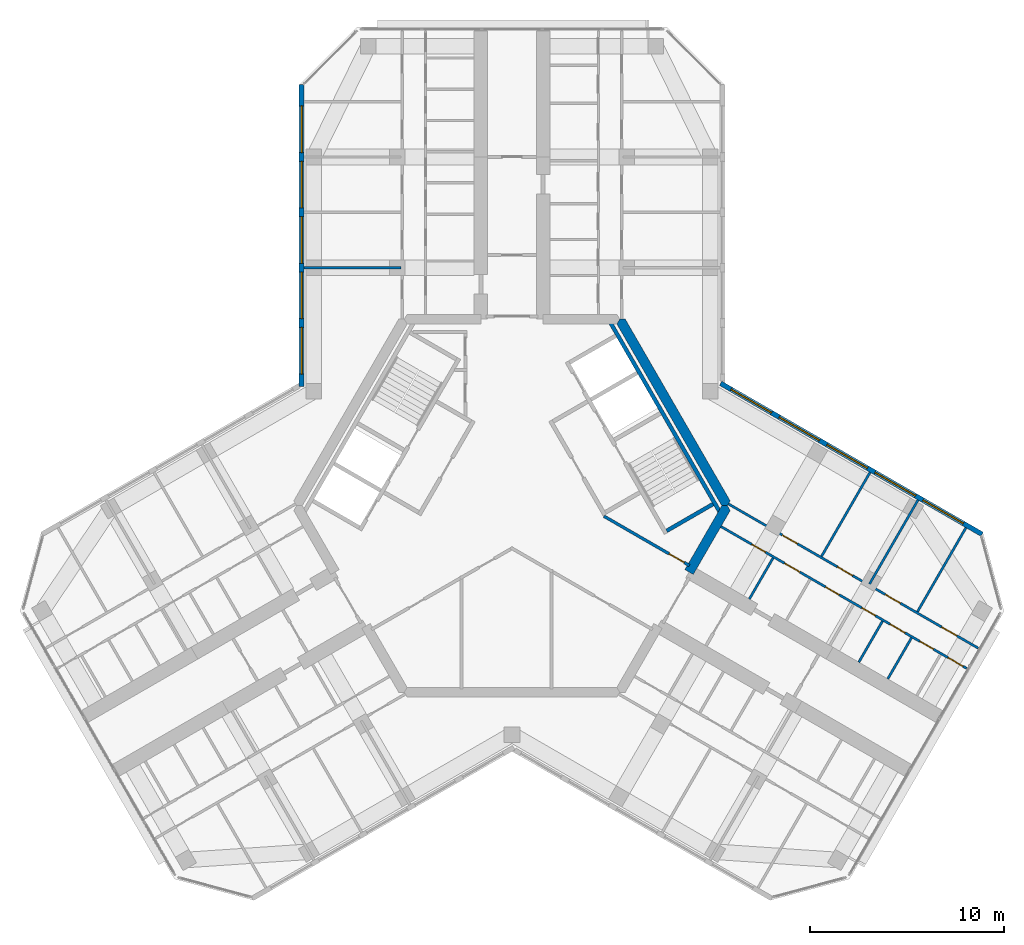
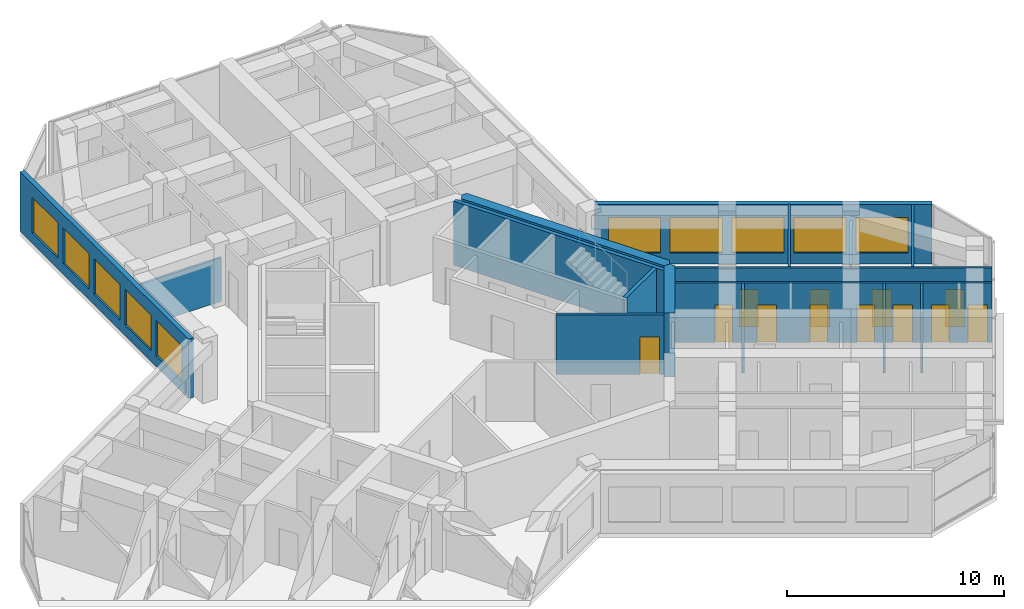
# One storey, part 11 of 14: 16 walls, 12 doors, 10 windows, 22 openings.
"""IFC4 building model written with IfcOpenShell, lengths in metres."""

from ifc_helpers import new_model, si_unit, direction, frame, frame_2d, origin, place, context, subcontext, project, spatial, polyline, rectangle, outline, extrude, material, layer, layer_set, type_object, element, fill, save


model = new_model("IFC4")

# Units and contexts
model_context = context("Model", 3, precision=1e-05, world=origin(), true_north=direction((0.0, 1.0)))
body_context = subcontext(model_context, "Body", "Model", "MODEL_VIEW")
ifc_project = project(units=[si_unit("LENGTHUNIT", "METRE"), si_unit("AREAUNIT", "SQUARE_METRE"), si_unit("VOLUMEUNIT", "CUBIC_METRE"), si_unit("PLANEANGLEUNIT", "RADIAN"), si_unit("MASSUNIT", "GRAM", prefix="KILO")], contexts=[model_context])

# Site, building, storey
site_placement = place(None, origin())
site = spatial("IfcSite", under=ifc_project, at=site_placement, CompositionType="ELEMENT")
building_placement = place(site_placement, origin())
building = spatial("IfcBuilding", under=site, at=building_placement, Name="Kosmar Iwan School Tower", CompositionType="ELEMENT")
storey_placement = place(building_placement, frame((0.0, 0.0, 289.0)))
storey = spatial("IfcBuildingStorey", under=building, at=storey_placement, Name="L73", CompositionType="ELEMENT", Elevation=289.0)

# Wall, opening, door
ifc_material_1 = material(Name="Gypsum board on steel studs, fire-rated", Category="steel")
ifc_layer_1 = layer(ifc_material_1, 0.14990234375)
ifc_layer_set_1 = layer_set([ifc_layer_1], Name="Core room partition 150")
wall_type_1 = type_object("IfcWallType", Name="Core room partition 150", PredefinedType="PARTITIONING", material=ifc_layer_set_1)
wall_1_placement = place(storey_placement, frame((9.129638671875, -3.0771484375, 0.0), z_axis=(0.0, 0.0, 1.0), x_axis=(-0.866010921276, 0.500025083601, 0.0)))
wall_1 = element("IfcWall", 1, at=wall_1_placement, inside=storey, type_object=wall_type_1, Name="Core room partition L73-CW11", PredefinedType="PARTITIONING", context=body_context, shape_type="SweptSolid", body=[
    extrude(rectangle(XDim=5.074462890625, YDim=0.14990234375, at=frame_2d((2.537109375, 0.0))), origin(), (0.0, 0.0, 1.0), 3.35009765625),
])
opening_1_placement = place(wall_1_placement, frame((0.304931640625, 0.0, 0.0)))
opening_1 = element("IfcOpeningElement", 2, at=opening_1_placement, cuts=wall_1, Name="Opening D14", PredefinedType="OPENING", context=body_context, shape_type="SweptSolid", body=[
    extrude(rectangle(XDim=0.89990234375, YDim=2.10009765625, at=frame_2d((0.449951171875, 1.050048828125))), frame((0.0, 0.0869140625, 0.0), z_axis=(0.0, -1.0, 0.0), x_axis=(1.0, 0.0, 0.0)), (0.0, 0.0, 1.0), 0.173828125),
])
ifc_material_2 = material(Name="Timber fire door in steel frame", Category="steel")
door_type_1 = type_object("IfcDoorType", Name="Core room door 900x2100", OperationType="SINGLE_SWING_LEFT", PredefinedType="DOOR", material=ifc_material_2)
door_1_placement = place(opening_1_placement, origin())
door_1 = element("IfcDoor", 3, at=door_1_placement, inside=storey, type_object=door_type_1, Name="Linen store door L73 6", OperationType="SINGLE_SWING_LEFT", OverallHeight=2.10009765625, OverallWidth=0.89990234375, PredefinedType="DOOR", context=body_context, shape_type="SweptSolid", body=[
    extrude(rectangle(XDim=0.89990234375, YDim=2.10009765625, at=frame_2d((0.449951171875, 1.050048828125))), frame((0.0, 0.02490234375, 0.0), z_axis=(0.0, -1.0, 0.0), x_axis=(1.0, 0.0, 0.0)), (0.0, 0.0, 1.0), 0.050048828125),
])
fill(opening_1, door_1)

# Walls
ifc_material_3 = material(Name="Concrete C50/60", Category="concrete")
ifc_layer_2 = layer(ifc_material_3, 0.5)
ifc_layer_set_2 = layer_set([ifc_layer_2], Name="Core wall 500")
wall_type_2 = type_object("IfcWallType", Name="Core wall 500", PredefinedType="SHEAR", material=ifc_layer_set_2)
wall_2_placement = place(storey_placement, origin())
element("IfcWall", 4, at=wall_2_placement, inside=storey, type_object=wall_type_2, Name="Core wall F030", PredefinedType="SHEAR", context=body_context, shape_type="SweptSolid", body=[
    extrude(outline(polyline([(10.79638671875, 0.0), (11.085205078125, 0.0), (11.2294921875, 0.25), (5.831298828125, 9.60009765625), (5.54248046875, 9.60009765625), (5.398193359375, 9.35009765625), (10.79638671875, 0.0)])), origin(), (0.0, 0.0, 1.0), 3.60009765625),
])
wall_3_placement = place(storey_placement, origin())
element("IfcWall", 5, at=wall_3_placement, inside=storey, type_object=wall_type_2, Name="Core wall F330b", PredefinedType="SHEAR", context=body_context, shape_type="SweptSolid", body=[
    extrude(outline(polyline([(9.330322265625, -3.539306640625), (11.2294921875, -0.25), (11.085205078125, 0.0), (10.79638671875, 0.0), (8.897216796875, -3.289306640625), (9.330322265625, -3.539306640625)])), origin(), (0.0, 0.0, 1.0), 3.60009765625),
])
ifc_material_4 = material(Name="Gypsum board on steel studs", Category="steel")
ifc_layer_3 = layer(ifc_material_4, 0.1201171875)
ifc_layer_set_3 = layer_set([ifc_layer_3], Name="Dwelling partition 120")
wall_type_3 = type_object("IfcWallType", Name="Dwelling partition 120", PredefinedType="PARTITIONING", material=ifc_layer_set_3)
wall_4_placement = place(storey_placement, frame((-5.7099609375, 12.25, 0.0), z_axis=(0.0, 0.0, 1.0), x_axis=(-1.0, 0.0, 0.0)))
element("IfcWall", 6, at=wall_4_placement, inside=storey, type_object=wall_type_3, Name="Partition L73-AL1-X1", PredefinedType="PARTITIONING", context=body_context, shape_type="SweptSolid", body=[
    extrude(rectangle(XDim=4.989990234375, YDim=0.1201171875, at=frame_2d((2.4951171875, 0.0))), origin(), (0.0, 0.0, 1.0), 2.449951171875),
])

# Wall, openings, doors
wall_5_placement = place(storey_placement, frame((10.75537109375, -1.0712890625, 0.0), z_axis=(0.0, 0.0, 1.0), x_axis=(0.866029591389, -0.499992746786, 0.0)))
wall_5 = element("IfcWall", 7, at=wall_5_placement, inside=storey, type_object=wall_type_3, Name="Partition L73-CL1-W1", PredefinedType="PARTITIONING", context=body_context, shape_type="SweptSolid", body=[
    extrude(rectangle(XDim=14.594970703125, YDim=0.1201171875, at=frame_2d((7.29736328125, 0.0))), origin(), (0.0, 0.0, 1.0), 3.35009765625),
])
opening_2_placement = place(wall_5_placement, frame((1.840087890625, 0.0, 0.0)))
opening_2 = element("IfcOpeningElement", 8, at=opening_2_placement, cuts=wall_5, Name="Opening D3", PredefinedType="OPENING", context=body_context, shape_type="SweptSolid", body=[
    extrude(rectangle(XDim=0.800048828125, YDim=2.10009765625, at=frame_2d((0.39990234375, 1.050048828125))), frame((0.0, 0.072021484375, 0.0), z_axis=(0.0, -1.0, 0.0), x_axis=(1.0, 0.0, 0.0)), (0.0, 0.0, 1.0), 0.14404296875),
])
opening_3_placement = place(wall_5_placement, frame((3.780029296875, 0.0, 0.0)))
opening_3 = element("IfcOpeningElement", 9, at=opening_3_placement, cuts=wall_5, Name="Opening D2", PredefinedType="OPENING", context=body_context, shape_type="SweptSolid", body=[
    extrude(rectangle(XDim=0.89990234375, YDim=2.10009765625, at=frame_2d((0.449951171875, 1.050048828125))), frame((0.0, 0.072021484375, 0.0), z_axis=(0.0, -1.0, 0.0), x_axis=(1.0, 0.0, 0.0)), (0.0, 0.0, 1.0), 0.14404296875),
])
opening_4_placement = place(wall_5_placement, frame((6.221435546875, 0.0, 0.0)))
opening_4 = element("IfcOpeningElement", 10, at=opening_4_placement, cuts=wall_5, Name="Opening D3", PredefinedType="OPENING", context=body_context, shape_type="SweptSolid", body=[
    extrude(rectangle(XDim=0.800048828125, YDim=2.10009765625, at=frame_2d((0.39990234375, 1.050048828125))), frame((0.0, 0.072021484375, 0.0), z_axis=(0.0, -1.0, 0.0), x_axis=(1.0, 0.0, 0.0)), (0.0, 0.0, 1.0), 0.14404296875),
])
opening_5_placement = place(wall_5_placement, frame((8.37353515625, 0.0, 0.0)))
opening_5 = element("IfcOpeningElement", 11, at=opening_5_placement, cuts=wall_5, Name="Opening D3", PredefinedType="OPENING", context=body_context, shape_type="SweptSolid", body=[
    extrude(rectangle(XDim=0.800048828125, YDim=2.10009765625, at=frame_2d((0.39990234375, 1.050048828125))), frame((0.0, 0.072021484375, 0.0), z_axis=(0.0, -1.0, 0.0), x_axis=(1.0, 0.0, 0.0)), (0.0, 0.0, 1.0), 0.14404296875),
])
opening_6_placement = place(wall_5_placement, frame((10.04541015625, 0.0, 0.0)))
opening_6 = element("IfcOpeningElement", 12, at=opening_6_placement, cuts=wall_5, Name="Opening D2", PredefinedType="OPENING", context=body_context, shape_type="SweptSolid", body=[
    extrude(rectangle(XDim=0.89990234375, YDim=2.10009765625, at=frame_2d((0.449951171875, 1.050048828125))), frame((0.0, 0.072021484375, 0.0), z_axis=(0.0, -1.0, 0.0), x_axis=(1.0, 0.0, 0.0)), (0.0, 0.0, 1.0), 0.14404296875),
])
opening_7_placement = place(wall_5_placement, frame((11.8173828125, 0.0, 0.0)))
opening_7 = element("IfcOpeningElement", 13, at=opening_7_placement, cuts=wall_5, Name="Opening D3", PredefinedType="OPENING", context=body_context, shape_type="SweptSolid", body=[
    extrude(rectangle(XDim=0.800048828125, YDim=2.10009765625, at=frame_2d((0.39990234375, 1.050048828125))), frame((0.0, 0.072021484375, 0.0), z_axis=(0.0, -1.0, 0.0), x_axis=(1.0, 0.0, 0.0)), (0.0, 0.0, 1.0), 0.14404296875),
])
opening_8_placement = place(wall_5_placement, frame((13.489013671875, 0.0, 0.0)))
opening_8 = element("IfcOpeningElement", 14, at=opening_8_placement, cuts=wall_5, Name="Opening D2", PredefinedType="OPENING", context=body_context, shape_type="SweptSolid", body=[
    extrude(rectangle(XDim=0.89990234375, YDim=2.10009765625, at=frame_2d((0.449951171875, 1.050048828125))), frame((0.0, 0.072021484375, 0.0), z_axis=(0.0, -1.0, 0.0), x_axis=(1.0, 0.0, 0.0)), (0.0, 0.0, 1.0), 0.14404296875),
])
ifc_material_5 = material(Name="Timber door in timber frame", Category="wood")
door_type_2 = type_object("IfcDoorType", Name="Internal door 900x2100", OperationType="SINGLE_SWING_LEFT", PredefinedType="DOOR", material=ifc_material_5)
door_2_placement = place(opening_3_placement, origin())
door_2 = element("IfcDoor", 15, at=door_2_placement, inside=storey, type_object=door_type_2, Name="Entrance hall door L73-CL1-S2", OperationType="SINGLE_SWING_LEFT", OverallHeight=2.10009765625, OverallWidth=0.89990234375, PredefinedType="DOOR", context=body_context, shape_type="SweptSolid", body=[
    extrude(rectangle(XDim=0.89990234375, YDim=2.10009765625, at=frame_2d((0.449951171875, 1.050048828125))), frame((0.0, 0.02490234375, 0.0), z_axis=(0.0, -1.0, 0.0), x_axis=(1.0, 0.0, 0.0)), (0.0, 0.0, 1.0), 0.050048828125),
])
fill(opening_3, door_2)
door_3_placement = place(opening_6_placement, origin())
door_3 = element("IfcDoor", 16, at=door_3_placement, inside=storey, type_object=door_type_2, Name="Pantry door L73-CL1-S5", OperationType="SINGLE_SWING_RIGHT", OverallHeight=2.10009765625, OverallWidth=0.89990234375, PredefinedType="DOOR", context=body_context, shape_type="SweptSolid", body=[
    extrude(rectangle(XDim=0.89990234375, YDim=2.10009765625, at=frame_2d((0.449951171875, 1.050048828125))), frame((0.0, 0.02490234375, 0.0), z_axis=(0.0, -1.0, 0.0), x_axis=(1.0, 0.0, 0.0)), (0.0, 0.0, 1.0), 0.050048828125),
])
fill(opening_6, door_3)
door_4_placement = place(opening_8_placement, origin())
door_4 = element("IfcDoor", 17, at=door_4_placement, inside=storey, type_object=door_type_2, Name="Utility room door L73-CL1-S7", OperationType="SINGLE_SWING_RIGHT", OverallHeight=2.10009765625, OverallWidth=0.89990234375, PredefinedType="DOOR", context=body_context, shape_type="SweptSolid", body=[
    extrude(rectangle(XDim=0.89990234375, YDim=2.10009765625, at=frame_2d((0.449951171875, 1.050048828125))), frame((0.0, 0.02490234375, 0.0), z_axis=(0.0, -1.0, 0.0), x_axis=(1.0, 0.0, 0.0)), (0.0, 0.0, 1.0), 0.050048828125),
])
fill(opening_8, door_4)
ifc_material_6 = material(Name="Timber door in timber frame", Category="wood")
door_type_3 = type_object("IfcDoorType", Name="Sanitary room door 800x2100", OperationType="SINGLE_SWING_LEFT", PredefinedType="DOOR", material=ifc_material_6)
door_5_placement = place(opening_2_placement, origin())
door_5 = element("IfcDoor", 18, at=door_5_placement, inside=storey, type_object=door_type_3, Name="Store door L73-CL1-S1", OperationType="SINGLE_SWING_LEFT", OverallHeight=2.10009765625, OverallWidth=0.800048828125, PredefinedType="DOOR", context=body_context, shape_type="SweptSolid", body=[
    extrude(rectangle(XDim=0.800048828125, YDim=2.10009765625, at=frame_2d((0.39990234375, 1.050048828125))), frame((0.0, 0.02490234375, 0.0), z_axis=(0.0, -1.0, 0.0), x_axis=(1.0, 0.0, 0.0)), (0.0, 0.0, 1.0), 0.050048828125),
])
fill(opening_2, door_5)
door_6_placement = place(opening_4_placement, origin())
door_6 = element("IfcDoor", 19, at=door_6_placement, inside=storey, type_object=door_type_3, Name="Bathroom door L73-CL1-S3", OperationType="SINGLE_SWING_LEFT", OverallHeight=2.10009765625, OverallWidth=0.800048828125, PredefinedType="DOOR", context=body_context, shape_type="SweptSolid", body=[
    extrude(rectangle(XDim=0.800048828125, YDim=2.10009765625, at=frame_2d((0.39990234375, 1.050048828125))), frame((0.0, 0.02490234375, 0.0), z_axis=(0.0, -1.0, 0.0), x_axis=(1.0, 0.0, 0.0)), (0.0, 0.0, 1.0), 0.050048828125),
])
fill(opening_4, door_6)
door_7_placement = place(opening_5_placement, origin())
door_7 = element("IfcDoor", 20, at=door_7_placement, inside=storey, type_object=door_type_3, Name="Shower room door L73-CL1-S4", OperationType="SINGLE_SWING_RIGHT", OverallHeight=2.10009765625, OverallWidth=0.800048828125, PredefinedType="DOOR", context=body_context, shape_type="SweptSolid", body=[
    extrude(rectangle(XDim=0.800048828125, YDim=2.10009765625, at=frame_2d((0.39990234375, 1.050048828125))), frame((0.0, 0.02490234375, 0.0), z_axis=(0.0, -1.0, 0.0), x_axis=(1.0, 0.0, 0.0)), (0.0, 0.0, 1.0), 0.050048828125),
])
fill(opening_5, door_7)
door_8_placement = place(opening_7_placement, origin())
door_8 = element("IfcDoor", 21, at=door_8_placement, inside=storey, type_object=door_type_3, Name="WC door L73-CL1-S6", OperationType="SINGLE_SWING_RIGHT", OverallHeight=2.10009765625, OverallWidth=0.800048828125, PredefinedType="DOOR", context=body_context, shape_type="SweptSolid", body=[
    extrude(rectangle(XDim=0.800048828125, YDim=2.10009765625, at=frame_2d((0.39990234375, 1.050048828125))), frame((0.0, 0.02490234375, 0.0), z_axis=(0.0, -1.0, 0.0), x_axis=(1.0, 0.0, 0.0)), (0.0, 0.0, 1.0), 0.050048828125),
])
fill(opening_7, door_8)

wall_6_placement = place(storey_placement, frame((11.138916015625, 0.093017578125, 0.0), z_axis=(0.0, 0.0, 1.0), x_axis=(0.866030301974, -0.499991515992, 0.0)))
wall_6 = element("IfcWall", 22, at=wall_6_placement, inside=storey, type_object=wall_type_3, Name="Partition L73-CL1-W2", PredefinedType="PARTITIONING", context=body_context, shape_type="SweptSolid", body=[
    extrude(rectangle(XDim=14.844970703125, YDim=0.1201171875, at=frame_2d((7.42236328125, 0.0))), origin(), (0.0, 0.0, 1.0), 3.35009765625),
])
opening_9_placement = place(wall_6_placement, frame((3.199951171875, 0.0, 0.0)))
opening_9 = element("IfcOpeningElement", 23, at=opening_9_placement, cuts=wall_6, Name="Opening D2", PredefinedType="OPENING", context=body_context, shape_type="SweptSolid", body=[
    extrude(rectangle(XDim=0.89990234375, YDim=2.10009765625, at=frame_2d((0.449951171875, 1.050048828125))), frame((0.0, 0.072021484375, 0.0), z_axis=(0.0, -1.0, 0.0), x_axis=(1.0, 0.0, 0.0)), (0.0, 0.0, 1.0), 0.14404296875),
])
opening_10_placement = place(wall_6_placement, frame((6.47509765625, 0.0, 0.0)))
opening_10 = element("IfcOpeningElement", 24, at=opening_10_placement, cuts=wall_6, Name="Opening D2", PredefinedType="OPENING", context=body_context, shape_type="SweptSolid", body=[
    extrude(rectangle(XDim=0.89990234375, YDim=2.10009765625, at=frame_2d((0.449951171875, 1.050048828125))), frame((0.0, 0.072021484375, 0.0), z_axis=(0.0, -1.0, 0.0), x_axis=(1.0, 0.0, 0.0)), (0.0, 0.0, 1.0), 0.14404296875),
])
opening_11_placement = place(wall_6_placement, frame((9.324951171875, 0.0, 0.0)))
opening_11 = element("IfcOpeningElement", 25, at=opening_11_placement, cuts=wall_6, Name="Opening D2", PredefinedType="OPENING", context=body_context, shape_type="SweptSolid", body=[
    extrude(rectangle(XDim=0.89990234375, YDim=2.10009765625, at=frame_2d((0.449951171875, 1.050048828125))), frame((0.0, 0.072021484375, 0.0), z_axis=(0.0, -1.0, 0.0), x_axis=(1.0, 0.0, 0.0)), (0.0, 0.0, 1.0), 0.14404296875),
])
opening_12_placement = place(wall_6_placement, frame((12.675048828125, 0.0, 0.0)))
opening_12 = element("IfcOpeningElement", 26, at=opening_12_placement, cuts=wall_6, Name="Opening D2", PredefinedType="OPENING", context=body_context, shape_type="SweptSolid", body=[
    extrude(rectangle(XDim=0.89990234375, YDim=2.10009765625, at=frame_2d((0.449951171875, 1.050048828125))), frame((0.0, 0.072021484375, 0.0), z_axis=(0.0, -1.0, 0.0), x_axis=(1.0, 0.0, 0.0)), (0.0, 0.0, 1.0), 0.14404296875),
])
door_9_placement = place(opening_9_placement, origin())
door_9 = element("IfcDoor", 27, at=door_9_placement, inside=storey, type_object=door_type_2, Name="Kitchen and dining room door L73-CL1-F1", OperationType="SINGLE_SWING_RIGHT", OverallHeight=2.10009765625, OverallWidth=0.89990234375, PredefinedType="DOOR", context=body_context, shape_type="SweptSolid", body=[
    extrude(rectangle(XDim=0.89990234375, YDim=2.10009765625, at=frame_2d((0.449951171875, 1.050048828125))), frame((0.0, 0.02490234375, 0.0), z_axis=(0.0, -1.0, 0.0), x_axis=(1.0, 0.0, 0.0)), (0.0, 0.0, 1.0), 0.050048828125),
])
fill(opening_9, door_9)
door_10_placement = place(opening_10_placement, origin())
door_10 = element("IfcDoor", 28, at=door_10_placement, inside=storey, type_object=door_type_2, Name="Bedroom 1 door L73-CL1-F2", OperationType="SINGLE_SWING_LEFT", OverallHeight=2.10009765625, OverallWidth=0.89990234375, PredefinedType="DOOR", context=body_context, shape_type="SweptSolid", body=[
    extrude(rectangle(XDim=0.89990234375, YDim=2.10009765625, at=frame_2d((0.449951171875, 1.050048828125))), frame((0.0, 0.02490234375, 0.0), z_axis=(0.0, -1.0, 0.0), x_axis=(1.0, 0.0, 0.0)), (0.0, 0.0, 1.0), 0.050048828125),
])
fill(opening_10, door_10)
door_11_placement = place(opening_11_placement, origin())
door_11 = element("IfcDoor", 29, at=door_11_placement, inside=storey, type_object=door_type_2, Name="Living room door L73-CL1-F3", OperationType="SINGLE_SWING_RIGHT", OverallHeight=2.10009765625, OverallWidth=0.89990234375, PredefinedType="DOOR", context=body_context, shape_type="SweptSolid", body=[
    extrude(rectangle(XDim=0.89990234375, YDim=2.10009765625, at=frame_2d((0.449951171875, 1.050048828125))), frame((0.0, 0.02490234375, 0.0), z_axis=(0.0, -1.0, 0.0), x_axis=(1.0, 0.0, 0.0)), (0.0, 0.0, 1.0), 0.050048828125),
])
fill(opening_11, door_11)
door_12_placement = place(opening_12_placement, origin())
door_12 = element("IfcDoor", 30, at=door_12_placement, inside=storey, type_object=door_type_2, Name="Bedroom 2 door L73-CL1-F4", OperationType="SINGLE_SWING_RIGHT", OverallHeight=2.10009765625, OverallWidth=0.89990234375, PredefinedType="DOOR", context=body_context, shape_type="SweptSolid", body=[
    extrude(rectangle(XDim=0.89990234375, YDim=2.10009765625, at=frame_2d((0.449951171875, 1.050048828125))), frame((0.0, 0.02490234375, 0.0), z_axis=(0.0, -1.0, 0.0), x_axis=(1.0, 0.0, 0.0)), (0.0, 0.0, 1.0), 0.050048828125),
])
fill(opening_12, door_12)

# Walls
wall_7_placement = place(storey_placement, frame((15.931884765625, -2.60498046875, 0.0), z_axis=(0.0, 0.0, 1.0), x_axis=(0.500011847778, 0.866018563358, 0.0)))
element("IfcWall", 31, at=wall_7_placement, inside=storey, type_object=wall_type_3, Name="Partition L73-CL1-X1", PredefinedType="PARTITIONING", context=body_context, shape_type="SweptSolid", body=[
    extrude(rectangle(XDim=4.990234375, YDim=0.1201171875, at=frame_2d((2.4951171875, 0.0))), origin(), (0.0, 0.0, 1.0), 3.35009765625),
])
wall_8_placement = place(storey_placement, frame((18.400146484375, -4.030029296875, 0.0), z_axis=(0.0, 0.0, 1.0), x_axis=(0.500011847778, 0.866018563358, 0.0)))
element("IfcWall", 32, at=wall_8_placement, inside=storey, type_object=wall_type_3, Name="Partition L73-CL1-X2", PredefinedType="PARTITIONING", context=body_context, shape_type="SweptSolid", body=[
    extrude(rectangle(XDim=4.990234375, YDim=0.1201171875, at=frame_2d((2.4951171875, 0.0))), origin(), (0.0, 0.0, 1.0), 2.449951171875),
])
wall_9_placement = place(storey_placement, frame((20.868408203125, -5.455078125, 0.0), z_axis=(0.0, 0.0, 1.0), x_axis=(0.499975153383, 0.86603974851, 0.0)))
element("IfcWall", 33, at=wall_9_placement, inside=storey, type_object=wall_type_3, Name="Partition L73-CL1-X3", PredefinedType="PARTITIONING", context=body_context, shape_type="SweptSolid", body=[
    extrude(rectangle(XDim=4.989990234375, YDim=0.1201171875, at=frame_2d((2.4951171875, 0.0))), origin(), (0.0, 0.0, 1.0), 3.35009765625),
])
for number, where, z_axis, x_axis, name in (
    (34, (12.216064453125, -4.80126953125, 0.0), (0.0, 0.0, 1.0), (0.500002508028, 0.866023955769, 0.0), "Partition L73-CL1-Y1"),
    (35, (17.84912109375, -8.053466796875, 0.0), (0.0, 0.0, 1.0), (0.500002508028, 0.866023955769, 0.0), "Partition L73-CL1-Y4"),
):
    element("IfcWall", number, at=place(storey_placement, frame(where, z_axis=z_axis, x_axis=x_axis)), inside=storey, type_object=wall_type_3, Name=name, PredefinedType="PARTITIONING", context=body_context, shape_type="SweptSolid", body=[
        extrude(rectangle(XDim=2.43994140625, YDim=0.1201171875, at=frame_2d((1.219970703125, 0.0))), origin(), (0.0, 0.0, 1.0), 3.35009765625),
    ])
wall_10_placement = place(storey_placement, frame((19.34033203125, -8.91455078125, 0.0), z_axis=(0.0, 0.0, 1.0), x_axis=(0.499959183527, 0.866048967903, 0.0)))
element("IfcWall", 36, at=wall_10_placement, inside=storey, type_object=wall_type_3, Name="Partition L73-CL1-Y5", PredefinedType="PARTITIONING", context=body_context, shape_type="SweptSolid", body=[
    extrude(rectangle(XDim=2.440185546875, YDim=0.1201171875, at=frame_2d((1.22021484375, 0.0))), origin(), (0.0, 0.0, 1.0), 3.35009765625),
])

# Wall, openings, windows
ifc_material_7 = material(Name="Black aluminium rainscreen on insulated framing", Category="aluminium")
ifc_layer_4 = layer(ifc_material_7, 0.25)
ifc_layer_set_4 = layer_set([ifc_layer_4], Name="External wall rainscreen 250")
wall_type_4 = type_object("IfcWallType", Name="External wall rainscreen 250", PredefinedType="SOLIDWALL", material=ifc_layer_set_4)
wall_11_placement = place(storey_placement, frame((10.73681640625, 6.30078125, 0.0), z_axis=(0.0, 0.0, 1.0), x_axis=(0.866023091024, -0.500004005797, 0.0)))
wall_11 = element("IfcWall", 37, at=wall_11_placement, inside=storey, type_object=wall_type_4, Name="External wall CL L73", PredefinedType="SOLIDWALL", context=body_context, shape_type="SweptSolid", body=[
    extrude(rectangle(XDim=15.537353515625, YDim=0.25, at=frame_2d((7.7685546875, 0.0))), origin(), (0.0, 0.0, 1.0), 3.35009765625),
])
opening_13_placement = place(wall_11_placement, frame((0.626953125, 0.0, 0.60009765625)))
opening_13 = element("IfcOpeningElement", 38, at=opening_13_placement, cuts=wall_11, Name="Opening W6", PredefinedType="OPENING", context=body_context, shape_type="SweptSolid", body=[
    extrude(rectangle(XDim=2.39990234375, YDim=2.0, at=frame_2d((1.199951171875, 1.0))), frame((0.0, 0.136962890625, 0.0), z_axis=(0.0, -1.0, 0.0), x_axis=(1.0, 0.0, 0.0)), (0.0, 0.0, 1.0), 0.27392578125),
])
opening_14_placement = place(wall_11_placement, frame((3.47705078125, 0.0, 0.60009765625)))
opening_14 = element("IfcOpeningElement", 39, at=opening_14_placement, cuts=wall_11, Name="Opening W6", PredefinedType="OPENING", context=body_context, shape_type="SweptSolid", body=[
    extrude(rectangle(XDim=2.39990234375, YDim=2.0, at=frame_2d((1.199951171875, 1.0))), frame((0.0, 0.136962890625, 0.0), z_axis=(0.0, -1.0, 0.0), x_axis=(1.0, 0.0, 0.0)), (0.0, 0.0, 1.0), 0.27392578125),
])
opening_15_placement = place(wall_11_placement, frame((6.326904296875, 0.0, 0.60009765625)))
opening_15 = element("IfcOpeningElement", 40, at=opening_15_placement, cuts=wall_11, Name="Opening W6", PredefinedType="OPENING", context=body_context, shape_type="SweptSolid", body=[
    extrude(rectangle(XDim=2.39990234375, YDim=2.0, at=frame_2d((1.199951171875, 1.0))), frame((0.0, 0.136962890625, 0.0), z_axis=(0.0, -1.0, 0.0), x_axis=(1.0, 0.0, 0.0)), (0.0, 0.0, 1.0), 0.27392578125),
])
opening_16_placement = place(wall_11_placement, frame((9.177001953125, 0.0, 0.60009765625)))
opening_16 = element("IfcOpeningElement", 41, at=opening_16_placement, cuts=wall_11, Name="Opening W6", PredefinedType="OPENING", context=body_context, shape_type="SweptSolid", body=[
    extrude(rectangle(XDim=2.39990234375, YDim=2.0, at=frame_2d((1.199951171875, 1.0))), frame((0.0, 0.136962890625, 0.0), z_axis=(0.0, -1.0, 0.0), x_axis=(1.0, 0.0, 0.0)), (0.0, 0.0, 1.0), 0.27392578125),
])
opening_17_placement = place(wall_11_placement, frame((12.027099609375, 0.0, 0.60009765625)))
opening_17 = element("IfcOpeningElement", 42, at=opening_17_placement, cuts=wall_11, Name="Opening W6", PredefinedType="OPENING", context=body_context, shape_type="SweptSolid", body=[
    extrude(rectangle(XDim=2.39990234375, YDim=2.0, at=frame_2d((1.199951171875, 1.0))), frame((0.0, 0.136962890625, 0.0), z_axis=(0.0, -1.0, 0.0), x_axis=(1.0, 0.0, 0.0)), (0.0, 0.0, 1.0), 0.27392578125),
])
ifc_material_8 = material(Name="Black aluminium frame with dark triple glazing", Category="aluminium")
window_type = type_object("IfcWindowType", Name="Window 2400x2000", PartitioningType="SINGLE_PANEL", PredefinedType="WINDOW", material=ifc_material_8)
window_1_placement = place(opening_13_placement, origin())
window_1 = element("IfcWindow", 43, at=window_1_placement, inside=storey, type_object=window_type, Name="Window CL L73 -1", OverallHeight=2.0, OverallWidth=2.39990234375, PartitioningType="SINGLE_PANEL", PredefinedType="WINDOW", context=body_context, shape_type="SweptSolid", body=[
    extrude(rectangle(XDim=2.39990234375, YDim=2.0, at=frame_2d((1.199951171875, 1.0))), frame((0.0, 0.030029296875, 0.0), z_axis=(0.0, -1.0, 0.0), x_axis=(1.0, 0.0, 0.0)), (0.0, 0.0, 1.0), 0.06005859375),
])
fill(opening_13, window_1)
window_2_placement = place(opening_14_placement, origin())
window_2 = element("IfcWindow", 44, at=window_2_placement, inside=storey, type_object=window_type, Name="Window CL L73 0", OverallHeight=2.0, OverallWidth=2.39990234375, PartitioningType="SINGLE_PANEL", PredefinedType="WINDOW", context=body_context, shape_type="SweptSolid", body=[
    extrude(rectangle(XDim=2.39990234375, YDim=2.0, at=frame_2d((1.199951171875, 1.0))), frame((0.0, 0.030029296875, 0.0), z_axis=(0.0, -1.0, 0.0), x_axis=(1.0, 0.0, 0.0)), (0.0, 0.0, 1.0), 0.06005859375),
])
fill(opening_14, window_2)
window_3_placement = place(opening_15_placement, origin())
window_3 = element("IfcWindow", 45, at=window_3_placement, inside=storey, type_object=window_type, Name="Window CL L73 1", OverallHeight=2.0, OverallWidth=2.39990234375, PartitioningType="SINGLE_PANEL", PredefinedType="WINDOW", context=body_context, shape_type="SweptSolid", body=[
    extrude(rectangle(XDim=2.39990234375, YDim=2.0, at=frame_2d((1.199951171875, 1.0))), frame((0.0, 0.030029296875, 0.0), z_axis=(0.0, -1.0, 0.0), x_axis=(1.0, 0.0, 0.0)), (0.0, 0.0, 1.0), 0.06005859375),
])
fill(opening_15, window_3)
window_4_placement = place(opening_16_placement, origin())
window_4 = element("IfcWindow", 46, at=window_4_placement, inside=storey, type_object=window_type, Name="Window CL L73 2", OverallHeight=2.0, OverallWidth=2.39990234375, PartitioningType="SINGLE_PANEL", PredefinedType="WINDOW", context=body_context, shape_type="SweptSolid", body=[
    extrude(rectangle(XDim=2.39990234375, YDim=2.0, at=frame_2d((1.199951171875, 1.0))), frame((0.0, 0.030029296875, 0.0), z_axis=(0.0, -1.0, 0.0), x_axis=(1.0, 0.0, 0.0)), (0.0, 0.0, 1.0), 0.06005859375),
])
fill(opening_16, window_4)
window_5_placement = place(opening_17_placement, origin())
window_5 = element("IfcWindow", 47, at=window_5_placement, inside=storey, type_object=window_type, Name="Window CL L73 3", OverallHeight=2.0, OverallWidth=2.39990234375, PartitioningType="SINGLE_PANEL", PredefinedType="WINDOW", context=body_context, shape_type="SweptSolid", body=[
    extrude(rectangle(XDim=2.39990234375, YDim=2.0, at=frame_2d((1.199951171875, 1.0))), frame((0.0, 0.030029296875, 0.0), z_axis=(0.0, -1.0, 0.0), x_axis=(1.0, 0.0, 0.0)), (0.0, 0.0, 1.0), 0.06005859375),
])
fill(opening_17, window_5)

wall_12_placement = place(storey_placement, frame((-10.824951171875, 6.14794921875, 0.0), z_axis=(0.0, 0.0, 1.0), x_axis=(0.0, 1.0, 0.0)))
wall_12 = element("IfcWall", 48, at=wall_12_placement, inside=storey, type_object=wall_type_4, Name="External wall AL L73", PredefinedType="SOLIDWALL", context=body_context, shape_type="SweptSolid", body=[
    extrude(rectangle(XDim=15.537353515625, YDim=0.25, at=frame_2d((7.7685546875, 0.0))), origin(), (0.0, 0.0, 1.0), 3.35009765625),
])
opening_18_placement = place(wall_12_placement, frame((0.626953125, 0.0, 0.60009765625)))
opening_18 = element("IfcOpeningElement", 49, at=opening_18_placement, cuts=wall_12, Name="Opening W6", PredefinedType="OPENING", context=body_context, shape_type="SweptSolid", body=[
    extrude(rectangle(XDim=2.39990234375, YDim=2.0, at=frame_2d((1.199951171875, 1.0))), frame((0.0, 0.136962890625, 0.0), z_axis=(0.0, -1.0, 0.0), x_axis=(1.0, 0.0, 0.0)), (0.0, 0.0, 1.0), 0.27392578125),
])
opening_19_placement = place(wall_12_placement, frame((3.47705078125, 0.0, 0.60009765625)))
opening_19 = element("IfcOpeningElement", 50, at=opening_19_placement, cuts=wall_12, Name="Opening W6", PredefinedType="OPENING", context=body_context, shape_type="SweptSolid", body=[
    extrude(rectangle(XDim=2.39990234375, YDim=2.0, at=frame_2d((1.199951171875, 1.0))), frame((0.0, 0.136962890625, 0.0), z_axis=(0.0, -1.0, 0.0), x_axis=(1.0, 0.0, 0.0)), (0.0, 0.0, 1.0), 0.27392578125),
])
opening_20_placement = place(wall_12_placement, frame((6.326904296875, 0.0, 0.60009765625)))
opening_20 = element("IfcOpeningElement", 51, at=opening_20_placement, cuts=wall_12, Name="Opening W6", PredefinedType="OPENING", context=body_context, shape_type="SweptSolid", body=[
    extrude(rectangle(XDim=2.39990234375, YDim=2.0, at=frame_2d((1.199951171875, 1.0))), frame((0.0, 0.136962890625, 0.0), z_axis=(0.0, -1.0, 0.0), x_axis=(1.0, 0.0, 0.0)), (0.0, 0.0, 1.0), 0.27392578125),
])
opening_21_placement = place(wall_12_placement, frame((9.177001953125, 0.0, 0.60009765625)))
opening_21 = element("IfcOpeningElement", 52, at=opening_21_placement, cuts=wall_12, Name="Opening W6", PredefinedType="OPENING", context=body_context, shape_type="SweptSolid", body=[
    extrude(rectangle(XDim=2.39990234375, YDim=2.0, at=frame_2d((1.199951171875, 1.0))), frame((0.0, 0.136962890625, 0.0), z_axis=(0.0, -1.0, 0.0), x_axis=(1.0, 0.0, 0.0)), (0.0, 0.0, 1.0), 0.27392578125),
])
opening_22_placement = place(wall_12_placement, frame((12.027099609375, 0.0, 0.60009765625)))
opening_22 = element("IfcOpeningElement", 53, at=opening_22_placement, cuts=wall_12, Name="Opening W6", PredefinedType="OPENING", context=body_context, shape_type="SweptSolid", body=[
    extrude(rectangle(XDim=2.39990234375, YDim=2.0, at=frame_2d((1.199951171875, 1.0))), frame((0.0, 0.136962890625, 0.0), z_axis=(0.0, -1.0, 0.0), x_axis=(1.0, 0.0, 0.0)), (0.0, 0.0, 1.0), 0.27392578125),
])
window_6_placement = place(opening_18_placement, origin())
window_6 = element("IfcWindow", 54, at=window_6_placement, inside=storey, type_object=window_type, Name="Window AL L73 -1", OverallHeight=2.0, OverallWidth=2.39990234375, PartitioningType="SINGLE_PANEL", PredefinedType="WINDOW", context=body_context, shape_type="SweptSolid", body=[
    extrude(rectangle(XDim=2.39990234375, YDim=2.0, at=frame_2d((1.199951171875, 1.0))), frame((0.0, 0.030029296875, 0.0), z_axis=(0.0, -1.0, 0.0), x_axis=(1.0, 0.0, 0.0)), (0.0, 0.0, 1.0), 0.06005859375),
])
fill(opening_18, window_6)
window_7_placement = place(opening_19_placement, origin())
window_7 = element("IfcWindow", 55, at=window_7_placement, inside=storey, type_object=window_type, Name="Window AL L73 0", OverallHeight=2.0, OverallWidth=2.39990234375, PartitioningType="SINGLE_PANEL", PredefinedType="WINDOW", context=body_context, shape_type="SweptSolid", body=[
    extrude(rectangle(XDim=2.39990234375, YDim=2.0, at=frame_2d((1.199951171875, 1.0))), frame((0.0, 0.030029296875, 0.0), z_axis=(0.0, -1.0, 0.0), x_axis=(1.0, 0.0, 0.0)), (0.0, 0.0, 1.0), 0.06005859375),
])
fill(opening_19, window_7)
window_8_placement = place(opening_20_placement, origin())
window_8 = element("IfcWindow", 56, at=window_8_placement, inside=storey, type_object=window_type, Name="Window AL L73 1", OverallHeight=2.0, OverallWidth=2.39990234375, PartitioningType="SINGLE_PANEL", PredefinedType="WINDOW", context=body_context, shape_type="SweptSolid", body=[
    extrude(rectangle(XDim=2.39990234375, YDim=2.0, at=frame_2d((1.199951171875, 1.0))), frame((0.0, 0.030029296875, 0.0), z_axis=(0.0, -1.0, 0.0), x_axis=(1.0, 0.0, 0.0)), (0.0, 0.0, 1.0), 0.06005859375),
])
fill(opening_20, window_8)
window_9_placement = place(opening_21_placement, origin())
window_9 = element("IfcWindow", 57, at=window_9_placement, inside=storey, type_object=window_type, Name="Window AL L73 2", OverallHeight=2.0, OverallWidth=2.39990234375, PartitioningType="SINGLE_PANEL", PredefinedType="WINDOW", context=body_context, shape_type="SweptSolid", body=[
    extrude(rectangle(XDim=2.39990234375, YDim=2.0, at=frame_2d((1.199951171875, 1.0))), frame((0.0, 0.030029296875, 0.0), z_axis=(0.0, -1.0, 0.0), x_axis=(1.0, 0.0, 0.0)), (0.0, 0.0, 1.0), 0.06005859375),
])
fill(opening_21, window_9)
window_10_placement = place(opening_22_placement, origin())
window_10 = element("IfcWindow", 58, at=window_10_placement, inside=storey, type_object=window_type, Name="Window AL L73 3", OverallHeight=2.0, OverallWidth=2.39990234375, PartitioningType="SINGLE_PANEL", PredefinedType="WINDOW", context=body_context, shape_type="SweptSolid", body=[
    extrude(rectangle(XDim=2.39990234375, YDim=2.0, at=frame_2d((1.199951171875, 1.0))), frame((0.0, 0.030029296875, 0.0), z_axis=(0.0, -1.0, 0.0), x_axis=(1.0, 0.0, 0.0)), (0.0, 0.0, 1.0), 0.06005859375),
])
fill(opening_22, window_10)

# Walls
ifc_material_9 = material(Name="Concrete C50/60", Category="concrete")
ifc_layer_5 = layer(ifc_material_9, 0.199951171875)
ifc_layer_set_5 = layer_set([ifc_layer_5], Name="Lift shaft wall 200")
wall_type_5 = type_object("IfcWallType", Name="Lift shaft wall 200", PredefinedType="SHEAR", material=ifc_layer_set_5)
wall_13_placement = place(storey_placement, frame((10.680908203125, -0.300048828125, 0.0), z_axis=(0.0, 0.0, 1.0), x_axis=(-0.500004846395, 0.866022605699, 0.0)))
element("IfcWall", 59, at=wall_13_placement, inside=storey, type_object=wall_type_5, Name="Lift and stair back wall AC", PredefinedType="SHEAR", context=body_context, shape_type="SweptSolid", body=[
    extrude(rectangle(XDim=11.20068359375, YDim=0.199951171875, at=frame_2d((5.600341796875, 0.0))), origin(), (0.0, 0.0, 1.0), 3.60009765625),
])
ifc_material_10 = material(Name="Concrete C50/60", Category="concrete")
ifc_layer_6 = layer(ifc_material_10, 0.199951171875)
ifc_layer_set_6 = layer_set([ifc_layer_6], Name="Stair enclosure wall 200")
wall_type_6 = type_object("IfcWallType", Name="Stair enclosure wall 200", PredefinedType="SHEAR", material=ifc_layer_set_6)
wall_14_placement = place(storey_placement, frame((7.962646484375, -1.291748046875, 0.0), z_axis=(0.0, 0.0, 1.0), x_axis=(0.866027397988, 0.499996545922, 0.0)))
element("IfcWall", 60, at=wall_14_placement, inside=storey, type_object=wall_type_6, Name="Stair ST1 wall", PredefinedType="SHEAR", context=body_context, shape_type="SweptSolid", body=[
    extrude(rectangle(XDim=2.75, YDim=0.199951171875, at=frame_2d((1.375, 0.0))), origin(), (0.0, 0.0, 1.0), 3.60009765625),
])

save(model, "model.ifc")
